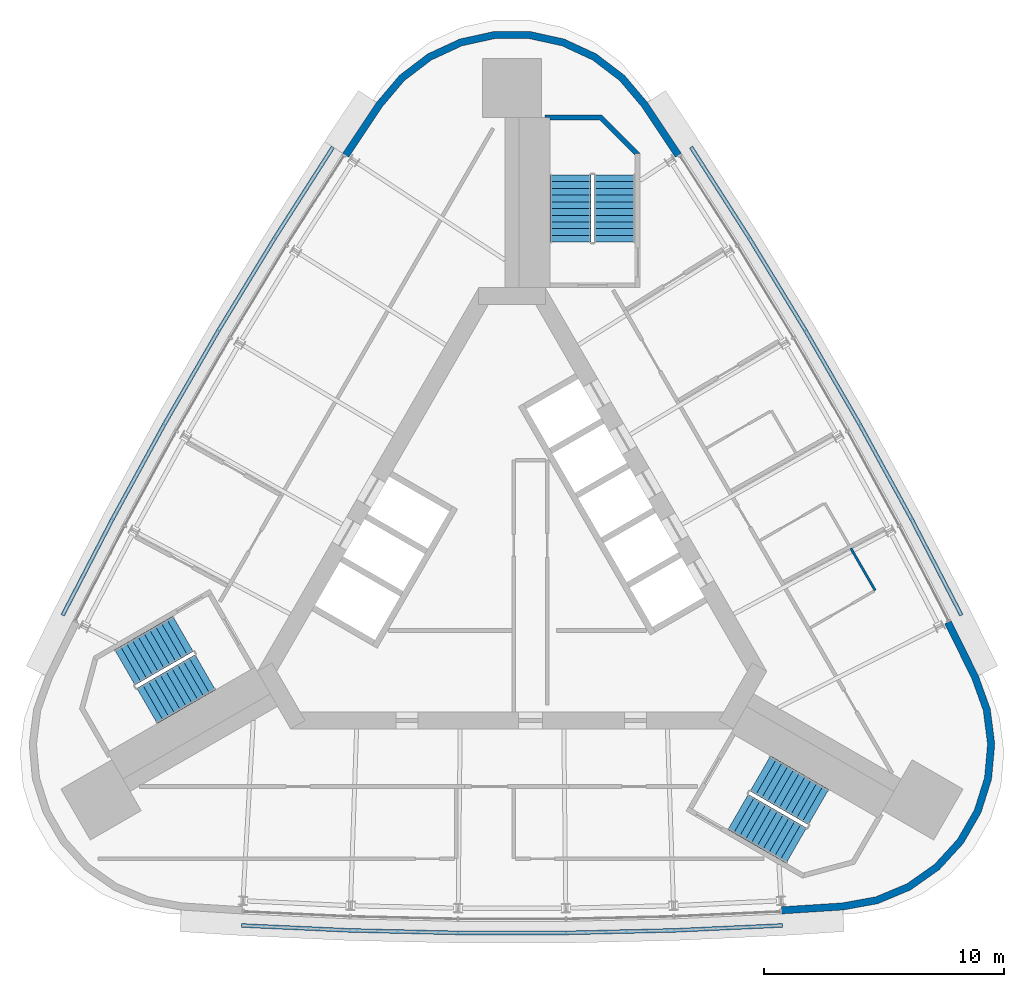
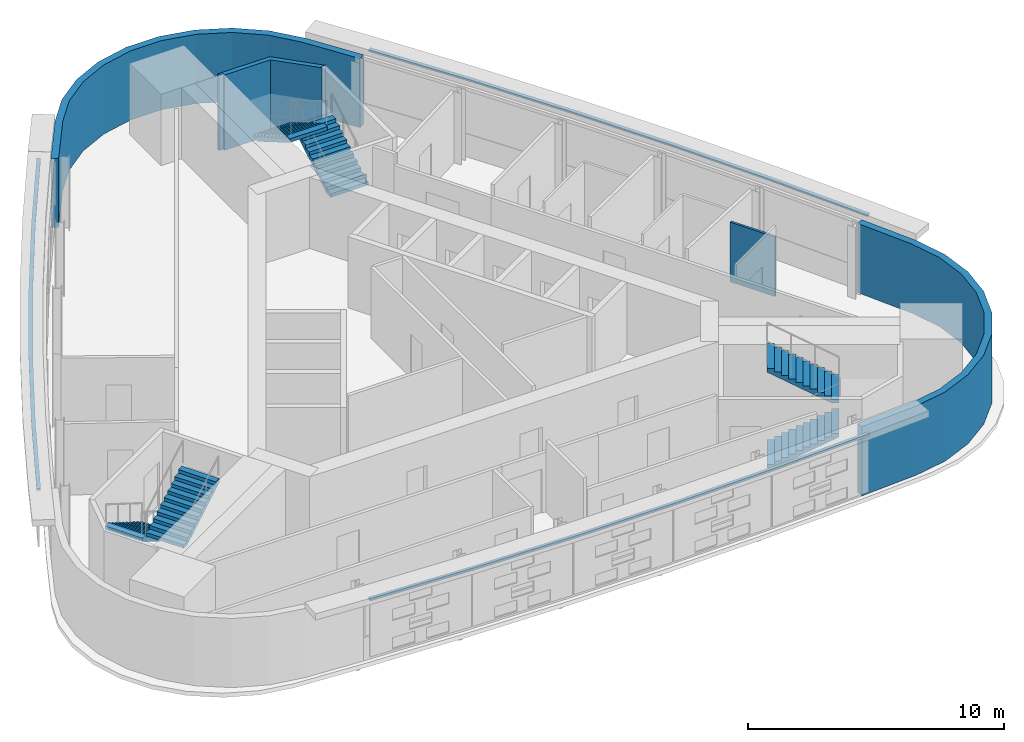
# One storey, part 8 of 10: 6 stair flights, 4 walls, 3 discrete accessories, 3 elements without a shape of their own.
"""IFC4 building model written with IfcOpenShell, lengths in metres."""

from ifc_helpers import new_model, si_unit, direction, frame, frame_2d, origin, place, context, subcontext, project, spatial, polyline, rectangle, outline, extrude, material, layer, layer_set, type_object, element, aggregate, save


model = new_model("IFC4")

# Units and contexts
model_context = context("Model", 3, precision=1e-05, world=origin(), true_north=direction((0.0, 1.0)))
body_context = subcontext(model_context, "Body", "Model", "MODEL_VIEW")
ifc_project = project(units=[si_unit("LENGTHUNIT", "METRE"), si_unit("AREAUNIT", "SQUARE_METRE"), si_unit("VOLUMEUNIT", "CUBIC_METRE"), si_unit("PLANEANGLEUNIT", "RADIAN"), si_unit("MASSUNIT", "GRAM", prefix="KILO")], contexts=[model_context])

# Site, building, storey
site_placement = place(None, origin())
site = spatial("IfcSite", under=ifc_project, at=site_placement, CompositionType="ELEMENT")
building_placement = place(site_placement, origin())
building = spatial("IfcBuilding", under=site, at=building_placement, Name="Noor Cloister Tower", CompositionType="ELEMENT")
storey_placement = place(building_placement, frame((0.0, 0.0, 240.0)))
storey = spatial("IfcBuildingStorey", under=building, at=storey_placement, Name="L62", CompositionType="ELEMENT", Elevation=240.0)

# Walls
ifc_material_1 = material(Name="Limestone", Category="masonry")
ifc_layer_1 = layer(ifc_material_1, 0.300048828125)
ifc_layer_set_1 = layer_set([ifc_layer_1], Name="Limestone cladding 300")
wall_type_1 = type_object("IfcWallType", Name="Limestone cladding 300", PredefinedType="NOTDEFINED", material=ifc_layer_set_1)
wall_1_placement = place(storey_placement, origin())
element("IfcWall", 1, at=wall_1_placement, inside=storey, type_object=wall_type_1, Name="Limestone pier cladding L62 2.1", PredefinedType="NOTDEFINED", context=body_context, shape_type="SweptSolid", body=[
    extrude(outline(polyline([(11.243896484375, -14.640625), (13.788818359375, -14.47802734375), (15.24072265625, -14.21533203125), (16.60205078125, -13.646484375), (17.808837890625, -12.797607421875), (18.804443359375, -11.70849609375), (19.542236328125, -10.430908203125), (19.9873046875, -9.024169921875), (20.119140625, -7.5546875), (19.931396484375, -6.091064453125), (19.4326171875, -4.702392578125), (18.301025390625, -2.417236328125), (18.0322265625, -2.55029296875), (19.15625, -4.820068359375), (19.637939453125, -6.161865234375), (19.8173828125, -7.560302734375), (19.69140625, -8.96484375), (19.26611328125, -10.30908203125), (18.56103515625, -11.5302734375), (17.609375, -12.571044921875), (16.4560546875, -13.38232421875), (15.1552734375, -13.926025390625), (13.75244140625, -14.1796875), (11.224609375, -14.341064453125), (11.243896484375, -14.640625)])), origin(), (0.0, 0.0, 1.0), 3.300048828125),
])
wall_2_placement = place(storey_placement, origin())
element("IfcWall", 2, at=wall_2_placement, inside=storey, type_object=wall_type_1, Name="Limestone pier cladding L62 3.1", PredefinedType="NOTDEFINED", context=body_context, shape_type="SweptSolid", body=[
    extrude(outline(polyline([(7.05712890625, 17.0576171875), (5.643798828125, 19.180419921875), (4.690673828125, 20.306640625), (3.51708984375, 21.200927734375), (2.178466796875, 21.821533203125), (0.73779296875, 22.139404296875), (-0.73779296875, 22.139404296875), (-2.178466796875, 21.821533203125), (-3.51708984375, 21.200927734375), (-4.690673828125, 20.306640625), (-5.643798828125, 19.180419921875), (-7.05712890625, 17.0576171875), (-6.807373046875, 16.891357421875), (-5.40380859375, 18.999755859375), (-4.482666015625, 20.087890625), (-3.361328125, 20.942626953125), (-2.08203125, 21.53564453125), (-0.705078125, 21.83935546875), (0.705078125, 21.83935546875), (2.08203125, 21.53564453125), (3.361328125, 20.942626953125), (4.482666015625, 20.087890625), (5.40380859375, 18.999755859375), (6.807373046875, 16.891357421875), (7.05712890625, 17.0576171875)])), origin(), (0.0, 0.0, 1.0), 3.300048828125),
])
ifc_material_2 = material(Name="Gypsum board partition on steel studs, 100 mm", Category="steel")
ifc_layer_2 = layer(ifc_material_2, 0.10009765625)
ifc_layer_set_2 = layer_set([ifc_layer_2], Name="Partition 100")
wall_type_2 = type_object("IfcWallType", Name="Partition 100", PredefinedType="PARTITIONING", material=ifc_layer_set_2)
wall_3_placement = place(storey_placement, frame((14.12158203125, 0.596923828125, 0.0), z_axis=(0.0, 0.0, 1.0), x_axis=(0.499990325971, -0.866030989016, 0.0)))
element("IfcWall", 3, at=wall_3_placement, inside=storey, type_object=wall_type_2, Name="Wall L62-W06", PredefinedType="PARTITIONING", context=body_context, shape_type="SweptSolid", body=[
    extrude(rectangle(XDim=2.02490234375, YDim=0.10009765625, at=frame_2d((1.012451171875, 0.0))), origin(), (0.0, 0.0, 1.0), 2.85205078125),
])
ifc_material_3 = material(Name="Concrete C60/75", Category="concrete")
wall_type_3 = type_object("IfcWallType", Name="Stair far end wall C60/75", PredefinedType="SHEAR", material=ifc_material_3)
wall_4_placement = place(storey_placement, frame((0.0, 0.0, -0.199951171875)))
element("IfcWall", 4, at=wall_4_placement, inside=storey, type_object=wall_type_3, Name="Stair enclosure wall ST1 L62 far end", PredefinedType="SHEAR", context=body_context, shape_type="SweptSolid", body=[
    extrude(outline(polyline([(5.335693359375, 17.056396484375), (3.735595703125, 18.656494140625), (1.385498046875, 18.656494140625), (1.385498046875, 18.550048828125), (1.585693359375, 18.550048828125), (1.585693359375, 18.550048828125), (1.585693359375, 18.550048828125), (1.585693359375, 18.550048828125), (1.585693359375, 18.550048828125), (1.585693359375, 18.550048828125), (1.585693359375, 18.550048828125), (1.585693359375, 18.550048828125), (1.585693359375, 18.550048828125), (1.585693359375, 18.550048828125), (1.585693359375, 18.550048828125), (1.585693359375, 18.550048828125), (1.585693359375, 18.550048828125), (1.585693359375, 18.550048828125), (1.585693359375, 18.550048828125), (1.585693359375, 18.550048828125), (1.585693359375, 18.550048828125), (1.585693359375, 18.456298828125), (3.65283203125, 18.456298828125), (5.135498046875, 16.9736328125), (5.135498046875, 17.056396484375), (5.135498046875, 17.056396484375), (5.135498046875, 17.056396484375), (5.135498046875, 17.056396484375), (5.135498046875, 17.056396484375), (5.135498046875, 17.056396484375), (5.135498046875, 17.056396484375), (5.135498046875, 17.056396484375), (5.135498046875, 17.056396484375), (5.135498046875, 17.056396484375), (5.135498046875, 17.056396484375), (5.135498046875, 17.056396484375), (5.135498046875, 17.056396484375), (5.135498046875, 17.056396484375), (5.135498046875, 17.056396484375), (5.135498046875, 17.056396484375), (5.135498046875, 17.056396484375), (5.335693359375, 17.056396484375)])), origin(), (0.0, 0.0, 1.0), 3.599853515625),
])

# Stair, stair flights
ifc_material_4 = material(Name="Concrete C40/50", Category="concrete")
stair_type = type_object("IfcStairType", Name="Exit stair 22 risers", PredefinedType="HALF_TURN_STAIR", material=ifc_material_4)
stair_1_placement = place(storey_placement, origin())
stair_1 = element("IfcStair", 5, at=stair_1_placement, inside=storey, type_object=stair_type, Name="Exit stair ST1 L62", PredefinedType="HALF_TURN_STAIR")
ifc_material_5 = material(Name="Concrete C40/50", Category="concrete")
stair_flight_type = type_object("IfcStairFlightType", Name="Exit stair flight", PredefinedType="STRAIGHT", material=ifc_material_5)
stair_flight_1_placement = place(storey_placement, frame((4.28564453125, 13.3564453125, 0.0), z_axis=(0.0, 0.0, 1.0), x_axis=(0.0, 1.0, 0.0)))
stair_flight_1 = element("IfcStairFlight", 6, at=stair_flight_1_placement, type_object=stair_flight_type, Name="ST1 flight 1", NumberOfRisers=11, NumberOfTreads=10, PredefinedType="STRAIGHT", RiserHeight=0.163636364, TreadLength=0.28, context=body_context, shape_type="SweptSolid", body=[
    extrude(outline(polyline([(0.0, 0.0), (0.0, 0.16357421875), (0.280029296875, 0.16357421875), (0.280029296875, 0.327392578125), (0.56005859375, 0.327392578125), (0.56005859375, 0.490966796875), (0.840087890625, 0.490966796875), (0.840087890625, 0.654541015625), (1.1201171875, 0.654541015625), (1.1201171875, 0.818115234375), (1.39990234375, 0.818115234375), (1.39990234375, 0.98193359375), (1.679931640625, 0.98193359375), (1.679931640625, 1.1455078125), (1.9599609375, 1.1455078125), (1.9599609375, 1.30908203125), (2.239990234375, 1.30908203125), (2.239990234375, 1.47265625), (2.52001953125, 1.47265625), (2.52001953125, 1.636474609375), (2.800048828125, 1.636474609375), (2.800048828125, 1.800048828125), (2.800048828125, 1.462646484375), (0.297119140625, 0.0), (0.0, 0.0)])), frame((0.0, 0.85009765625, 0.0), z_axis=(0.0, -1.0, 0.0), x_axis=(1.0, 0.0, 0.0)), (0.0, 0.0, 1.0), 1.699951171875),
])
stair_flight_2_placement = place(storey_placement, frame((2.435546875, 16.156494140625, 1.800048828125), z_axis=(0.0, 0.0, 1.0), x_axis=(0.0, -1.0, 0.0)))
stair_flight_2 = element("IfcStairFlight", 7, at=stair_flight_2_placement, type_object=stair_flight_type, Name="ST1 flight 2", NumberOfRisers=11, NumberOfTreads=10, PredefinedType="STRAIGHT", RiserHeight=0.163636364, TreadLength=0.28, context=body_context, shape_type="SweptSolid", body=[
    extrude(outline(polyline([(0.0, 0.0), (0.0, 0.16357421875), (0.280029296875, 0.16357421875), (0.280029296875, 0.327392578125), (0.56005859375, 0.327392578125), (0.56005859375, 0.490966796875), (0.840087890625, 0.490966796875), (0.840087890625, 0.654541015625), (1.1201171875, 0.654541015625), (1.1201171875, 0.818115234375), (1.39990234375, 0.818115234375), (1.39990234375, 0.98193359375), (1.679931640625, 0.98193359375), (1.679931640625, 1.1455078125), (1.9599609375, 1.1455078125), (1.9599609375, 1.30908203125), (2.239990234375, 1.30908203125), (2.239990234375, 1.47265625), (2.52001953125, 1.47265625), (2.52001953125, 1.636474609375), (2.800048828125, 1.636474609375), (2.800048828125, 1.800048828125), (2.800048828125, 1.462646484375), (0.297119140625, 0.0), (0.0, 0.0)])), frame((0.0, 0.85009765625, 0.0), z_axis=(0.0, -1.0, 0.0), x_axis=(1.0, 0.0, 0.0)), (0.0, 0.0, 1.0), 1.699951171875),
])
aggregate(stair_1, [stair_flight_1, stair_flight_2])

stair_2_placement = place(storey_placement, origin())
stair_2 = element("IfcStair", 8, at=stair_2_placement, inside=storey, type_object=stair_type, Name="Exit stair ST2 L62", PredefinedType="HALF_TURN_STAIR")
stair_flight_3_placement = place(storey_placement, frame((-13.709716796875, -2.966796875, 0.0), z_axis=(0.0, 0.0, 1.0), x_axis=(-0.866025403784, -0.5, 0.0)))
stair_flight_3 = element("IfcStairFlight", 9, at=stair_flight_3_placement, type_object=stair_flight_type, Name="ST2 flight 1", NumberOfRisers=11, NumberOfTreads=10, PredefinedType="STRAIGHT", RiserHeight=0.163636364, TreadLength=0.28, context=body_context, shape_type="SweptSolid", body=[
    extrude(outline(polyline([(0.0, 0.0), (0.0, 0.16357421875), (0.280029296875, 0.16357421875), (0.280029296875, 0.327392578125), (0.56005859375, 0.327392578125), (0.56005859375, 0.490966796875), (0.840087890625, 0.490966796875), (0.840087890625, 0.654541015625), (1.1201171875, 0.654541015625), (1.1201171875, 0.818115234375), (1.39990234375, 0.818115234375), (1.39990234375, 0.98193359375), (1.679931640625, 0.98193359375), (1.679931640625, 1.1455078125), (1.9599609375, 1.1455078125), (1.9599609375, 1.30908203125), (2.239990234375, 1.30908203125), (2.239990234375, 1.47265625), (2.52001953125, 1.47265625), (2.52001953125, 1.636474609375), (2.800048828125, 1.636474609375), (2.800048828125, 1.800048828125), (2.800048828125, 1.462646484375), (0.297119140625, 0.0), (0.0, 0.0)])), frame((0.0, 0.85009765625, 0.0), z_axis=(0.0, -1.0, 0.0), x_axis=(1.0, 0.0, 0.0)), (0.0, 0.0, 1.0), 1.699951171875),
])
stair_flight_4_placement = place(storey_placement, frame((-15.209716796875, -5.968994140625, 1.800048828125), z_axis=(0.0, 0.0, 1.0), x_axis=(0.866025403784, 0.5, 0.0)))
stair_flight_4 = element("IfcStairFlight", 10, at=stair_flight_4_placement, type_object=stair_flight_type, Name="ST2 flight 2", NumberOfRisers=11, NumberOfTreads=10, PredefinedType="STRAIGHT", RiserHeight=0.163636364, TreadLength=0.28, context=body_context, shape_type="SweptSolid", body=[
    extrude(outline(polyline([(0.0, 0.0), (0.0, 0.16357421875), (0.280029296875, 0.16357421875), (0.280029296875, 0.327392578125), (0.56005859375, 0.327392578125), (0.56005859375, 0.490966796875), (0.840087890625, 0.490966796875), (0.840087890625, 0.654541015625), (1.1201171875, 0.654541015625), (1.1201171875, 0.818115234375), (1.39990234375, 0.818115234375), (1.39990234375, 0.98193359375), (1.679931640625, 0.98193359375), (1.679931640625, 1.1455078125), (1.9599609375, 1.1455078125), (1.9599609375, 1.30908203125), (2.239990234375, 1.30908203125), (2.239990234375, 1.47265625), (2.52001953125, 1.47265625), (2.52001953125, 1.636474609375), (2.800048828125, 1.636474609375), (2.800048828125, 1.800048828125), (2.800048828125, 1.462646484375), (0.297119140625, 0.0), (0.0, 0.0)])), frame((0.0, 0.85009765625, 0.0), z_axis=(0.0, -1.0, 0.0), x_axis=(1.0, 0.0, 0.0)), (0.0, 0.0, 1.0), 1.699951171875),
])
aggregate(stair_2, [stair_flight_3, stair_flight_4])

stair_3_placement = place(storey_placement, origin())
stair_3 = element("IfcStair", 11, at=stair_3_placement, inside=storey, type_object=stair_type, Name="Exit stair ST3 L62", PredefinedType="HALF_TURN_STAIR")
stair_flight_5_placement = place(storey_placement, frame((9.424072265625, -10.3896484375, 0.0), z_axis=(0.0, 0.0, 1.0), x_axis=(0.866025403784, -0.5, 0.0)))
stair_flight_5 = element("IfcStairFlight", 12, at=stair_flight_5_placement, type_object=stair_flight_type, Name="ST3 flight 1", NumberOfRisers=11, NumberOfTreads=10, PredefinedType="STRAIGHT", RiserHeight=0.163636364, TreadLength=0.28, context=body_context, shape_type="SweptSolid", body=[
    extrude(outline(polyline([(0.0, 0.0), (0.0, 0.16357421875), (0.280029296875, 0.16357421875), (0.280029296875, 0.327392578125), (0.56005859375, 0.327392578125), (0.56005859375, 0.490966796875), (0.840087890625, 0.490966796875), (0.840087890625, 0.654541015625), (1.1201171875, 0.654541015625), (1.1201171875, 0.818115234375), (1.39990234375, 0.818115234375), (1.39990234375, 0.98193359375), (1.679931640625, 0.98193359375), (1.679931640625, 1.1455078125), (1.9599609375, 1.1455078125), (1.9599609375, 1.30908203125), (2.239990234375, 1.30908203125), (2.239990234375, 1.47265625), (2.52001953125, 1.47265625), (2.52001953125, 1.636474609375), (2.800048828125, 1.636474609375), (2.800048828125, 1.800048828125), (2.800048828125, 1.462646484375), (0.297119140625, 0.0), (0.0, 0.0)])), frame((0.0, 0.85009765625, 0.0), z_axis=(0.0, -1.0, 0.0), x_axis=(1.0, 0.0, 0.0)), (0.0, 0.0, 1.0), 1.699951171875),
])
stair_flight_6_placement = place(storey_placement, frame((12.77392578125, -10.1875, 1.800048828125), z_axis=(0.0, 0.0, 1.0), x_axis=(-0.866025403784, 0.5, 0.0)))
stair_flight_6 = element("IfcStairFlight", 13, at=stair_flight_6_placement, type_object=stair_flight_type, Name="ST3 flight 2", NumberOfRisers=11, NumberOfTreads=10, PredefinedType="STRAIGHT", RiserHeight=0.163636364, TreadLength=0.28, context=body_context, shape_type="SweptSolid", body=[
    extrude(outline(polyline([(0.0, 0.0), (0.0, 0.16357421875), (0.280029296875, 0.16357421875), (0.280029296875, 0.327392578125), (0.56005859375, 0.327392578125), (0.56005859375, 0.490966796875), (0.840087890625, 0.490966796875), (0.840087890625, 0.654541015625), (1.1201171875, 0.654541015625), (1.1201171875, 0.818115234375), (1.39990234375, 0.818115234375), (1.39990234375, 0.98193359375), (1.679931640625, 0.98193359375), (1.679931640625, 1.1455078125), (1.9599609375, 1.1455078125), (1.9599609375, 1.30908203125), (2.239990234375, 1.30908203125), (2.239990234375, 1.47265625), (2.52001953125, 1.47265625), (2.52001953125, 1.636474609375), (2.800048828125, 1.636474609375), (2.800048828125, 1.800048828125), (2.800048828125, 1.462646484375), (0.297119140625, 0.0), (0.0, 0.0)])), frame((0.0, 0.85009765625, 0.0), z_axis=(0.0, -1.0, 0.0), x_axis=(1.0, 0.0, 0.0)), (0.0, 0.0, 1.0), 1.699951171875),
])
aggregate(stair_3, [stair_flight_5, stair_flight_6])

# Discrete accessories
ifc_material_6 = material(Name="Stainless steel grade 316", Category="steel")
discrete_accessory_type = type_object("IfcDiscreteAccessoryType", Name="Stainless hanger rail", PredefinedType="BRACKET", material=ifc_material_6)
discrete_accessory_1_placement = place(storey_placement, frame((0.0, 0.0, 3.199951171875)))
element("IfcDiscreteAccessory", 14, at=discrete_accessory_1_placement, inside=storey, type_object=discrete_accessory_type, Name="Hanger rail L62", PredefinedType="BRACKET", context=body_context, shape_type="SweptSolid", body=[
    extrude(outline(polyline([(-7.52880859375, 17.359619140625), (-9.95849609375, 13.564453125), (-12.303955078125, 9.708984375), (-14.560302734375, 5.801025390625), (-16.726318359375, 1.842041015625), (-18.79833984375, -2.15966796875), (-18.65625, -2.233154296875), (-16.585205078125, 1.766845703125), (-14.420654296875, 5.722412109375), (-12.166259765625, 9.62744140625), (-9.82275390625, 13.479736328125), (-7.39404296875, 17.2734375), (-7.52880859375, 17.359619140625)])), origin(), (0.0, 0.0, 1.0), 0.10009765625),
])
discrete_accessory_2_placement = place(storey_placement, frame((0.0, 0.0, 3.199951171875)))
element("IfcDiscreteAccessory", 15, at=discrete_accessory_2_placement, inside=storey, type_object=discrete_accessory_type, Name="Hanger rail L62", PredefinedType="BRACKET", context=body_context, shape_type="SweptSolid", body=[
    extrude(outline(polyline([(-11.26953125, -15.199951171875), (-6.767822265625, -15.406494140625), (-2.25634765625, -15.510009765625), (2.25634765625, -15.510009765625), (6.767822265625, -15.406494140625), (11.26953125, -15.199951171875), (11.26220703125, -15.0400390625), (6.762451171875, -15.24658203125), (2.254638671875, -15.35009765625), (-2.254638671875, -15.35009765625), (-6.762451171875, -15.24658203125), (-11.26220703125, -15.0400390625), (-11.26953125, -15.199951171875)])), origin(), (0.0, 0.0, 1.0), 0.10009765625),
])
discrete_accessory_3_placement = place(storey_placement, frame((0.0, 0.0, 3.199951171875)))
element("IfcDiscreteAccessory", 16, at=discrete_accessory_3_placement, inside=storey, type_object=discrete_accessory_type, Name="Hanger rail L62", PredefinedType="BRACKET", context=body_context, shape_type="SweptSolid", body=[
    extrude(outline(polyline([(18.79833984375, -2.15966796875), (16.726318359375, 1.842041015625), (14.560302734375, 5.801025390625), (12.303955078125, 9.708984375), (9.95849609375, 13.564453125), (7.52880859375, 17.359619140625), (7.39404296875, 17.2734375), (9.82275390625, 13.479736328125), (12.166259765625, 9.62744140625), (14.420654296875, 5.722412109375), (16.585205078125, 1.766845703125), (18.65625, -2.233154296875), (18.79833984375, -2.15966796875)])), origin(), (0.0, 0.0, 1.0), 0.10009765625),
])

save(model, "model.ifc")
